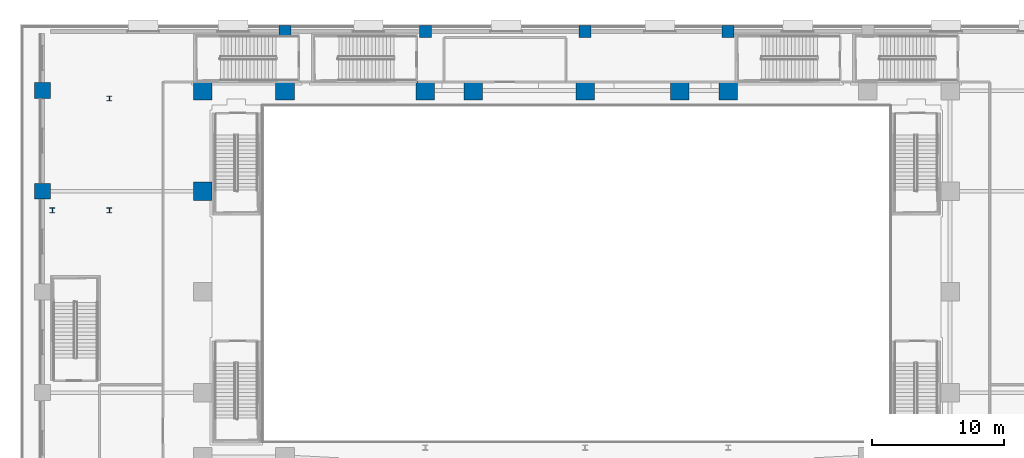
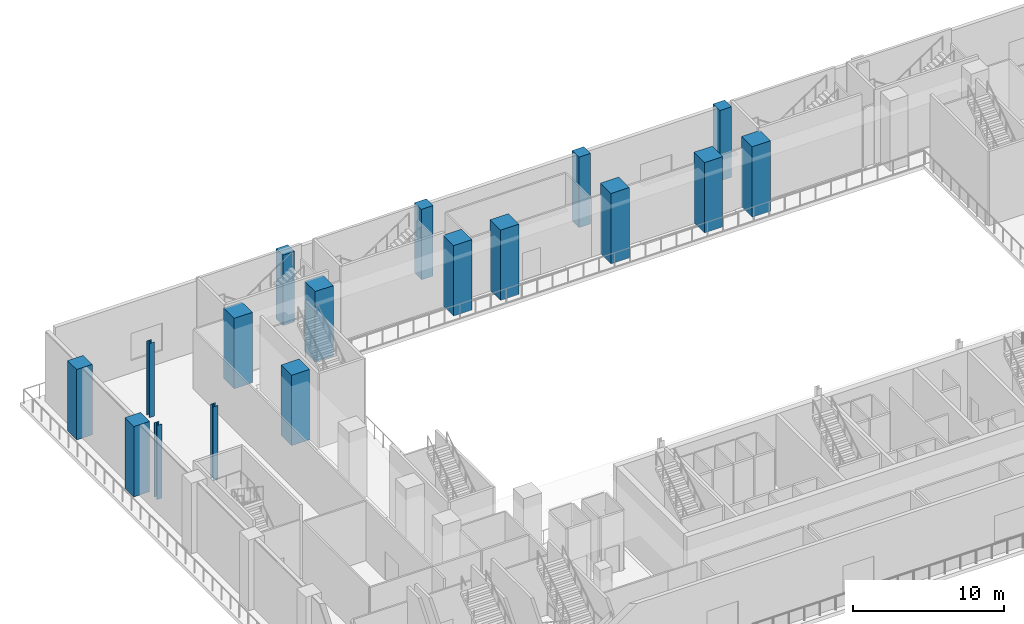
# One storey, part 3 of 29: 17 columns.
"""IFC4 building model written with IfcOpenShell, lengths in metres."""

import ifcopenshell
import ifcopenshell.guid

model = None  # the IFC model being written
_history = None  # IfcOwnerHistory: only IFC2X3 demands one
_inside = {}  # id of a spatial element -> (the spatial element, [elements in it])
_under = {}  # id of a project, library or spatial element -> (it, [spatial elements below it])
_declared = {}  # id of a project -> (the project, [libraries it declares])
_typed = {}  # id of a type object -> (the type object, [elements of that type])
_made_of = {}  # id of a material, layer set ... -> (it, [elements and type objects made of it])


def new_model(schema):
    """Start an empty IFC model of exactly this schema.

    Asked for "IFC4X3", IfcOpenShell would pick the latest addendum, in which some entities
    have other attributes; the version numbers below select the first issue.
    IFC2X3 requires an IfcOwnerHistory on every rooted entity: one is made here for all.
    """
    global model, _history
    if schema == "IFC4X3":
        model = ifcopenshell.file(schema_version=(4, 3, 0, 0))
    else:
        model = ifcopenshell.file(schema=schema)
    _inside.clear()
    _under.clear()
    _declared.clear()
    _typed.clear()
    _made_of.clear()
    _history = None
    if model.schema == "IFC2X3":
        org = make("IfcOrganization", Name="unknown")
        user = make(
            "IfcPersonAndOrganization",
            ThePerson=make("IfcPerson", FamilyName="unknown"),
            TheOrganization=org,
        )
        app = make(
            "IfcApplication",
            ApplicationDeveloper=org,
            Version="unknown",
            ApplicationFullName="unknown",
            ApplicationIdentifier="unknown",
        )
        _history = make(
            "IfcOwnerHistory",
            OwningUser=user,
            OwningApplication=app,
            ChangeAction="ADDED",
            CreationDate=0,
        )
    return model


def make(cls, **values):
    """One entity of the class cls with the attributes given. An attribute that is None is left unset."""
    return model.create_entity(
        cls, **{name: value for name, value in values.items() if value is not None}
    )


def rooted(cls, **values):
    """An entity with a GlobalId (a new one), such as an element, a storey or a relation."""
    return make(cls, GlobalId=ifcopenshell.guid.new(), OwnerHistory=_history, **values)


def si_unit(unit_type, name, prefix=None):
    """IfcSIUnit, for example si_unit("LENGTHUNIT", "METRE", prefix="MILLI")."""
    return make("IfcSIUnit", UnitType=unit_type, Prefix=prefix, Name=name)


def assignment(units):
    """IfcUnitAssignment: the units of a project."""
    return None if units is None else make("IfcUnitAssignment", Units=units)


def point(xyz):
    """IfcCartesianPoint."""
    return None if xyz is None else make("IfcCartesianPoint", Coordinates=xyz)


def direction(xyz):
    """IfcDirection."""
    return None if xyz is None else make("IfcDirection", DirectionRatios=xyz)


def frame(location, z_axis=None, x_axis=None):
    """IfcAxis2Placement3D, a coordinate frame: its origin and axes. An axis left out is left unset."""
    return make(
        "IfcAxis2Placement3D",
        Location=point(location),
        Axis=direction(z_axis),
        RefDirection=direction(x_axis),
    )


def frame_2d(location, x_axis=None):
    """IfcAxis2Placement2D, a coordinate frame in the plane: its origin and x axis."""
    return make(
        "IfcAxis2Placement2D", Location=point(location), RefDirection=direction(x_axis)
    )


def origin():
    """The frame at (0, 0, 0) with its axes left unset."""
    return frame((0.0, 0.0, 0.0))


def origin_2d():
    """The frame at (0, 0) in the plane with its x axis left unset."""
    return frame_2d((0.0, 0.0))


def place(relative_to, where):
    """IfcLocalPlacement: puts the frame where relative to a parent placement (None: the world)."""
    return make(
        "IfcLocalPlacement", PlacementRelTo=relative_to, RelativePlacement=where
    )


def context(
    kind, dimensions, precision=None, world=None, true_north=None, identifier=None
):
    """IfcGeometricRepresentationContext, for example the 3D "Model" context."""
    return make(
        "IfcGeometricRepresentationContext",
        ContextIdentifier=identifier,
        ContextType=kind,
        CoordinateSpaceDimension=dimensions,
        Precision=precision,
        WorldCoordinateSystem=world,
        TrueNorth=true_north,
    )


def subcontext(parent, identifier, kind, view, scale=None):
    """IfcGeometricRepresentationSubContext, for example "Body" below "Model"."""
    return make(
        "IfcGeometricRepresentationSubContext",
        ContextIdentifier=identifier,
        ContextType=kind,
        ParentContext=parent,
        TargetScale=scale,
        TargetView=view,
    )


def project(units=None, contexts=None):
    """IfcProject with its units and contexts."""
    return rooted(
        "IfcProject",
        Name="project",
        RepresentationContexts=contexts,
        UnitsInContext=assignment(units),
    )


def spatial(cls, under=None, at=None, **own):
    """A site, building, storey or space (cls), placed at a placement, below another one or the project."""
    s = rooted(cls, ObjectPlacement=at, **own)
    if under is not None:
        _under.setdefault(under.id(), (under, []))[1].append(s)
    return s


def profile(cls, at=None, kind="AREA", **sizes):
    """A parametric profile (cls). Its sizes go by their IFC names, for example OverallWidth=200.0."""
    return make(cls, ProfileType=kind, Position=at, **sizes)


def rectangle(**sizes):
    """IfcRectangleProfileDef."""
    return profile("IfcRectangleProfileDef", **sizes)


def i_section(**sizes):
    """IfcIShapeProfileDef."""
    return profile("IfcIShapeProfileDef", **sizes)


def extrude(swept, where, along, depth):
    """IfcExtrudedAreaSolid: the profile swept, set in the frame where, extruded along a direction by depth."""
    return make(
        "IfcExtrudedAreaSolid",
        SweptArea=swept,
        Position=where,
        ExtrudedDirection=direction(along),
        Depth=depth,
    )


def shape(context_of_items, identifier, shape_type, items):
    """IfcShapeRepresentation: the items that make up one representation, for example the "Body"."""
    return make(
        "IfcShapeRepresentation",
        ContextOfItems=context_of_items,
        RepresentationIdentifier=identifier,
        RepresentationType=shape_type,
        Items=items,
    )


def material(Name=None, Category=None):
    """IfcMaterial."""
    return make("IfcMaterial", Name=Name, Category=Category)


def material_profile(
    of_material, cross_section, Name=None, Category=None, Priority=None
):
    """IfcMaterialProfile: a cross section and its material."""
    return make(
        "IfcMaterialProfile",
        Name=Name,
        Material=of_material,
        Profile=cross_section,
        Priority=Priority,
        Category=Category,
    )


def profile_set(profiles, Name=None, composite=None):
    """IfcMaterialProfileSet."""
    return make(
        "IfcMaterialProfileSet",
        Name=Name,
        MaterialProfiles=profiles,
        CompositeProfile=composite,
    )


def made_of(thing, what):
    """Note that an element or type object is made of a material, layer set ...; save() writes the relation."""
    if what is not None:
        _made_of.setdefault(what.id(), (what, []))[1].append(thing)
    return thing


def type_object(cls, material=None, **own):
    """A type object (cls), such as IfcWallType, which elements share."""
    return made_of(rooted(cls, **own), material)


def element(
    cls,
    number,
    at=None,
    inside=None,
    cuts=None,
    type_object=None,
    material=None,
    context=None,
    identifier="Body",
    shape_type=None,
    held_by="IfcProductDefinitionShape",
    body=None,
    shapes=None,
    **own,
):
    """One element of the class cls, such as IfcWall. Its Tag is "e" and its number.

    at: its placement. inside: the storey or other place that contains it. cuts: it is an
    opening in that element (IfcRelVoidsElement). A single representation is given by context,
    identifier, shape_type and body (its items); several are given by shapes. held_by: the class
    of the entity that holds the representations. save() writes the other relations.
    """
    e = rooted(cls, Tag="e%d" % number, ObjectPlacement=at, **own)
    if body is not None:
        shapes = [shape(context, identifier, shape_type, body)]
    if shapes is not None:
        e.Representation = make(held_by, Representations=shapes)
    if inside is not None:
        _inside.setdefault(inside.id(), (inside, []))[1].append(e)
    if cuts is not None:
        rooted(
            "IfcRelVoidsElement", RelatingBuildingElement=cuts, RelatedOpeningElement=e
        )
    if type_object is not None:
        _typed.setdefault(type_object.id(), (type_object, []))[1].append(e)
    return made_of(e, material)


def aggregate(whole, parts):
    """IfcRelAggregates: a whole, such as a stair, and the parts it consists of."""
    return rooted("IfcRelAggregates", RelatingObject=whole, RelatedObjects=parts)


def save(model, path):
    """Write the relations noted so far, then the file.

    IfcRelAggregates (storeys below a building ...), IfcRelContainedInSpatialStructure (elements
    in a storey), IfcRelDefinesByType, IfcRelAssociatesMaterial and IfcRelDeclares: one each for
    every whole, place, type object, material and project.
    """
    for whole, parts in _under.values():
        aggregate(whole, parts)
    for where, things in _inside.values():
        rooted(
            "IfcRelContainedInSpatialStructure",
            RelatedElements=things,
            RelatingStructure=where,
        )
    for kind, things in _typed.values():
        rooted("IfcRelDefinesByType", RelatedObjects=things, RelatingType=kind)
    for what, things in _made_of.values():
        rooted("IfcRelAssociatesMaterial", RelatedObjects=things, RelatingMaterial=what)
    for by, libraries in _declared.values():
        rooted("IfcRelDeclares", RelatingContext=by, RelatedDefinitions=libraries)
    model.write(path)


model = new_model("IFC4")

# Units and contexts
model_context = context("Model", 3, precision=1e-05, world=origin(), true_north=direction((0.0, 1.0)))
body_context = subcontext(model_context, "Body", "Model", "MODEL_VIEW")
ifc_project = project(units=[si_unit("LENGTHUNIT", "METRE"), si_unit("AREAUNIT", "SQUARE_METRE"), si_unit("VOLUMEUNIT", "CUBIC_METRE"), si_unit("PLANEANGLEUNIT", "RADIAN"), si_unit("MASSUNIT", "GRAM", prefix="KILO")], contexts=[model_context])

# Site, building, storey
site_placement = place(None, origin())
site = spatial("IfcSite", under=ifc_project, at=site_placement, CompositionType="ELEMENT")
building_placement = place(site_placement, origin())
building = spatial("IfcBuilding", under=site, at=building_placement, Name="Ndaravel Arena Tower", CompositionType="ELEMENT")
storey_placement = place(building_placement, frame((0.0, 0.0, 12.0)))
storey = spatial("IfcBuildingStorey", under=building, at=storey_placement, Name="L02", CompositionType="ELEMENT", Elevation=12.0)

# Columns
ifc_material_1 = material(Name="Concrete C40/50", Category="concrete")
ifc_material_profile_1 = material_profile(ifc_material_1, rectangle(XDim=0.89990234375, YDim=0.89990234375, at=origin_2d()), Name="RC 900x900")
ifc_profile_set_1 = profile_set([ifc_material_profile_1], Name="Concrete C40/50")
column_type_1 = type_object("IfcColumnType", Name="COL-BSMT-RC900", PredefinedType="COLUMN", material=ifc_profile_set_1)
for number, where, z_axis, x_axis, name in (
    (1, (20.0, 47.449951171875, 0.0), (0.0, 0.0, 1.0), (1.0, 0.0, 0.0), "L02 North Concourse Column 1"),
    (2, (30.60009765625, 47.449951171875, 0.0), (0.0, 0.0, 1.0), (1.0, 0.0, 0.0), "L02 North Concourse Column 2"),
    (3, (42.64990234375, 47.449951171875, 0.0), (0.0, 0.0, 1.0), (1.0, 0.0, 0.0), "L02 North Concourse Column 3"),
    (4, (53.449951171875, 47.449951171875, 0.0), (0.0, 0.0, 1.0), (1.0, 0.0, 0.0), "L02 North Concourse Column 4"),
):
    element("IfcColumn", number, at=place(storey_placement, frame(where, z_axis=z_axis, x_axis=x_axis)), inside=storey, type_object=column_type_1, Name=name, PredefinedType="COLUMN", context=body_context, shape_type="SweptSolid", body=[
        extrude(rectangle(XDim=0.89990234375, YDim=0.89990234375, at=origin_2d()), origin(), (0.0, 0.0, 1.0), 5.699951171875),
    ])
ifc_material_2 = material(Name="Steel S355", Category="steel")
ifc_material_profile_2 = material_profile(ifc_material_2, i_section(OverallWidth=0.374755859375, OverallDepth=0.37451171875, WebThickness=0.0166015625, FlangeThickness=0.027099609375, FilletRadius=0.01513671875, at=origin_2d()), Name="UC 356x368x202")
ifc_profile_set_2 = profile_set([ifc_material_profile_2], Name="Steel S355")
column_type_2 = type_object("IfcColumnType", Name="COL-CRN-UC202", PredefinedType="COLUMN", material=ifc_profile_set_2)
for number, where, z_axis, x_axis, name in (
    (5, (2.449951171875, 33.949951171875, 0.0), (0.0, 0.0, 1.0), (1.0, 0.0, 0.0), "L02 Garden Stair ST-GDN-1 Pier 1.1"),
    (6, (6.75, 33.949951171875, 0.0), (0.0, 0.0, 1.0), (1.0, 0.0, 0.0), "L02 Garden Stair ST-GDN-1 Pier 2.1"),
    (7, (6.75, 42.39990234375, 0.0), (0.0, 0.0, 1.0), (1.0, 0.0, 0.0), "L02 Garden Stair ST-GDN-1 Pier 2.2"),
):
    element("IfcColumn", number, at=place(storey_placement, frame(where, z_axis=z_axis, x_axis=x_axis)), inside=storey, type_object=column_type_2, Name=name, PredefinedType="COLUMN", context=body_context, shape_type="SweptSolid", body=[
        extrude(i_section(OverallWidth=0.374755859375, OverallDepth=0.37451171875, WebThickness=0.0166015625, FlangeThickness=0.027099609375, FilletRadius=0.01513671875, at=origin_2d()), origin(), (0.0, 0.0, 1.0), 6.0),
    ])
ifc_material_3 = material(Name="Concrete C60/75", Category="concrete")
ifc_material_profile_3 = material_profile(ifc_material_3, rectangle(XDim=1.199951171875, YDim=1.199951171875, at=origin_2d()), Name="RC 1200x1200")
ifc_profile_set_3 = profile_set([ifc_material_profile_3], Name="Concrete C60/75")
column_type_3 = type_object("IfcColumnType", Name="COL-MEGA-RC1200", PredefinedType="COLUMN", material=ifc_profile_set_3)
for number, where, z_axis, x_axis, name in (
    (8, (1.699951171875, 35.39990234375, 0.0), (0.0, 0.0, 1.0), (1.0, 0.0, 0.0), "L02 Perimeter Mega Column 05"),
    (9, (1.699951171875, 43.0, 0.0), (0.0, 0.0, 1.0), (1.0, 0.0, 0.0), "L02 Perimeter Mega Column 06"),
):
    element("IfcColumn", number, at=place(storey_placement, frame(where, z_axis=z_axis, x_axis=x_axis)), inside=storey, type_object=column_type_3, Name=name, PredefinedType="COLUMN", context=body_context, shape_type="SweptSolid", body=[
        extrude(rectangle(XDim=1.199951171875, YDim=1.199951171875, at=origin_2d()), origin(), (0.0, 0.0, 1.0), 5.699951171875),
    ])
ifc_material_4 = material(Name="Concrete C60/75", Category="concrete")
ifc_material_profile_4 = material_profile(ifc_material_4, rectangle(XDim=1.39990234375, YDim=1.39990234375, at=origin_2d()), Name="RC 1400x1400")
ifc_profile_set_4 = profile_set([ifc_material_profile_4], Name="Concrete C60/75")
column_type_4 = type_object("IfcColumnType", Name="COL-MEGA-RC1400", PredefinedType="COLUMN", material=ifc_profile_set_4)
for number, where, z_axis, x_axis, name in (
    (10, (13.800048828125, 35.39990234375, 0.0), (0.0, 0.0, 1.0), (1.0, 0.0, 0.0), "L02 Arena Ring Mega Column 04"),
    (11, (13.800048828125, 43.0, 0.0), (0.0, 0.0, 1.0), (1.0, 0.0, 0.0), "L02 Arena Ring Mega Column 05"),
    (12, (20.0, 43.0, 0.0), (0.0, 0.0, 1.0), (1.0, 0.0, 0.0), "L02 Arena Ring Mega Column 13"),
    (13, (30.60009765625, 43.0, 0.0), (0.0, 0.0, 1.0), (1.0, 0.0, 0.0), "L02 Arena Ring Mega Column 14"),
    (14, (34.199951171875, 43.0, 0.0), (0.0, 0.0, 1.0), (1.0, 0.0, 0.0), "L02 Arena Ring Mega Column 15"),
    (15, (42.64990234375, 43.0, 0.0), (0.0, 0.0, 1.0), (1.0, 0.0, 0.0), "L02 Arena Ring Mega Column 16"),
    (16, (49.800048828125, 43.0, 0.0), (0.0, 0.0, 1.0), (1.0, 0.0, 0.0), "L02 Arena Ring Mega Column 17"),
    (17, (53.449951171875, 43.0, 0.0), (0.0, 0.0, 1.0), (1.0, 0.0, 0.0), "L02 Arena Ring Mega Column 18"),
):
    element("IfcColumn", number, at=place(storey_placement, frame(where, z_axis=z_axis, x_axis=x_axis)), inside=storey, type_object=column_type_4, Name=name, PredefinedType="COLUMN", context=body_context, shape_type="SweptSolid", body=[
        extrude(rectangle(XDim=1.39990234375, YDim=1.39990234375, at=origin_2d()), origin(), (0.0, 0.0, 1.0), 5.699951171875),
    ])

save(model, "model.ifc")
